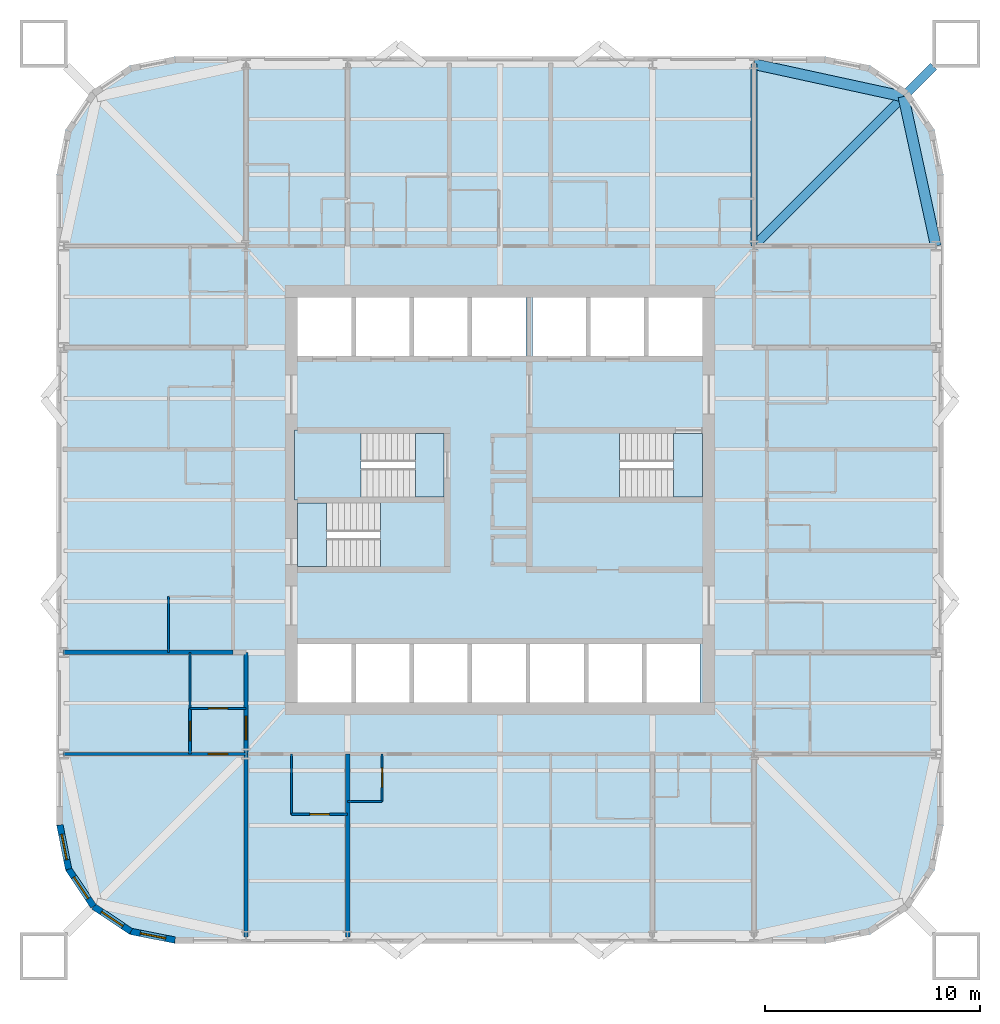
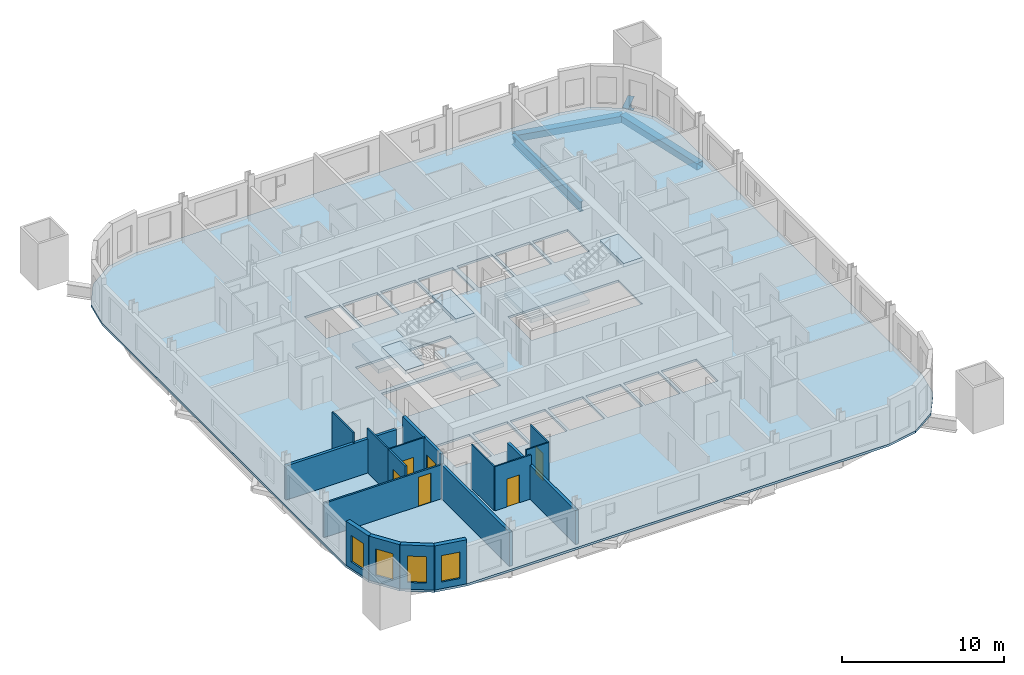
# One storey, part 2 of 9: 17 walls, 7 slabs, 6 doors, 4 beams, 4 windows, 10 openings, 3 elements without a shape of their own.
"""IFC4 building model written with IfcOpenShell, lengths in metres."""

from ifc_helpers import new_model, si_unit, direction, frame, frame_2d, origin, origin_2d, place, context, subcontext, project, spatial, polyline, rectangle, hollow_rectangle, i_section, outline, extrude, material, layer, layer_set, material_profile, profile_set, type_object, element, fill, aggregate, save


model = new_model("IFC4")

# Units and contexts
model_context = context("Model", 3, precision=1e-05, world=origin(), true_north=direction((0.0, 1.0)))
body_context = subcontext(model_context, "Body", "Model", "MODEL_VIEW")
ifc_project = project(units=[si_unit("LENGTHUNIT", "METRE"), si_unit("AREAUNIT", "SQUARE_METRE"), si_unit("VOLUMEUNIT", "CUBIC_METRE"), si_unit("PLANEANGLEUNIT", "RADIAN"), si_unit("MASSUNIT", "GRAM", prefix="KILO")], contexts=[model_context])

# Site, building, storey
site_placement = place(None, origin())
site = spatial("IfcSite", under=ifc_project, at=site_placement, CompositionType="ELEMENT")
building_placement = place(site_placement, origin())
building = spatial("IfcBuilding", under=site, at=building_placement, Name="Turquesa Mirador Hotel Tower", CompositionType="ELEMENT")
storey_placement = place(building_placement, frame((0.0, 0.0, 117.89990234375)))
storey = spatial("IfcBuildingStorey", under=building, at=storey_placement, Name="L31", CompositionType="ELEMENT", Elevation=117.89990234375)

# Beams
ifc_material_1 = material(Name="Steel ASTM A572 Grade 50", Category="steel")
ifc_material_profile_1 = material_profile(ifc_material_1, hollow_rectangle(XDim=0.5, YDim=0.5, WallThickness=0.01611328125, at=origin_2d()), Name="BOX500X500X16")
ifc_profile_set_1 = profile_set([ifc_material_profile_1], Name="Steel ASTM A572 Grade 50")
beam_type_1 = type_object("IfcBeamType", Name="BEAM BOX500X500X16", PredefinedType="BEAM", material=ifc_profile_set_1)
for number, where, z_axis, x_axis, name in (
    (1, (75.25, 56.800048828125, -0.419921875), (-0.212328336885, 0.977198381781, 0.0), (-0.977198381781, -0.212328336885, 0.0), "KE-L31-1-0"),
    (2, (73.74169921875, 63.74169921875, -0.419921875), (-0.977198381781, 0.212328336885, 0.0), (-0.212328336885, -0.977198381781, 0.0), "KE-L31-1-1"),
):
    element("IfcBeam", number, at=place(storey_placement, frame(where, z_axis=z_axis, x_axis=x_axis)), inside=storey, type_object=beam_type_1, Name=name, PredefinedType="BEAM", context=body_context, shape_type="SweptSolid", body=[
        extrude(hollow_rectangle(XDim=0.5, YDim=0.5, WallThickness=0.01611328125, at=origin_2d()), origin(), (0.0, 0.0, 1.0), 7.103515625),
    ])
ifc_material_2 = material(Name="Steel ASTM A992 Grade 50", Category="steel")
ifc_material_profile_2 = material_profile(ifc_material_2, i_section(OverallWidth=0.2666015625, OverallDepth=0.7568359375, WebThickness=0.013916015625, FlangeThickness=0.019287109375, at=origin_2d()), Name="W30X108")
ifc_profile_set_2 = profile_set([ifc_material_profile_2], Name="Steel ASTM A992 Grade 50")
beam_type_2 = type_object("IfcBeamType", Name="BEAM W30X108", PredefinedType="BEAM", material=ifc_profile_set_2)
beam_1_placement = place(storey_placement, frame((66.800048828125, 65.25, -0.54833984375), z_axis=(0.0, -1.0, 0.0), x_axis=(1.0, 0.0, 0.0)))
element("IfcBeam", 3, at=beam_1_placement, inside=storey, type_object=beam_type_2, Name="GK-L31-N-+11.80", PredefinedType="BEAM", context=body_context, shape_type="SweptSolid", body=[
    extrude(i_section(OverallWidth=0.2666015625, OverallDepth=0.7568359375, WebThickness=0.013916015625, FlangeThickness=0.019287109375, at=origin_2d()), origin(), (0.0, 0.0, 1.0), 8.449951171875),
])
ifc_material_3 = material(Name="Steel ASTM A992 Grade 50", Category="steel")
ifc_material_profile_3 = material_profile(ifc_material_3, i_section(OverallWidth=0.419189453125, OverallDepth=0.927001953125, WebThickness=0.019287109375, FlangeThickness=0.031982421875, at=origin_2d()), Name="W36X231")
ifc_profile_set_3 = profile_set([ifc_material_profile_3], Name="Steel ASTM A992 Grade 50")
beam_type_3 = type_object("IfcBeamType", Name="BEAM W36X231", PredefinedType="BEAM", material=ifc_profile_set_3)
beam_2_placement = place(storey_placement, frame((66.800048828125, 56.800048828125, -0.633544921875), z_axis=(0.707106781187, 0.707106781187, 0.0), x_axis=(-0.707106781187, 0.707106781187, 0.0)))
element("IfcBeam", 4, at=beam_2_placement, inside=storey, type_object=beam_type_3, Name="KD-L31-1", PredefinedType="BEAM", context=body_context, shape_type="SweptSolid", body=[
    extrude(i_section(OverallWidth=0.419189453125, OverallDepth=0.927001953125, WebThickness=0.019287109375, FlangeThickness=0.031982421875, at=origin_2d()), origin(), (0.0, 0.0, 1.0), 11.80859375),
])

# Slab
ifc_material_4 = material(Name="Concrete C28/35", Category="concrete")
ifc_layer_1 = layer(ifc_material_4, 0.169921875)
ifc_layer_set_1 = layer_set([ifc_layer_1], Name="COMPOSITE FLOOR SLAB 170")
slab_type_1 = type_object("IfcSlabType", Name="COMPOSITE FLOOR SLAB 170", PredefinedType="FLOOR", material=ifc_layer_set_1)
slab_1_placement = place(storey_placement, frame((0.0, 0.0, -0.169921875)))
element("IfcSlab", 5, at=slab_1_placement, inside=storey, type_object=slab_type_1, Name="Floor slab L31", PredefinedType="FLOOR", context=body_context, shape_type="SweptSolid", body=[
    extrude(outline(polyline([(70.10009765625, 24.39990234375), (72.204833984375, 24.818603515625), (73.989013671875, 26.010986328125), (75.181396484375, 27.795166015625), (75.60009765625, 29.89990234375), (75.60009765625, 60.10009765625), (75.181396484375, 62.204833984375), (73.989013671875, 63.989013671875), (72.204833984375, 65.181396484375), (70.10009765625, 65.60009765625), (39.89990234375, 65.60009765625), (37.795166015625, 65.181396484375), (36.010986328125, 63.989013671875), (34.818603515625, 62.204833984375), (34.39990234375, 60.10009765625), (34.39990234375, 29.89990234375), (34.818603515625, 27.795166015625), (36.010986328125, 26.010986328125), (37.795166015625, 24.818603515625), (39.89990234375, 24.39990234375), (70.10009765625, 24.39990234375)]), holes=[polyline([(45.60009765625, 51.699951171875), (48.10009765625, 51.699951171875), (48.10009765625, 54.39990234375), (45.60009765625, 54.39990234375), (45.60009765625, 51.699951171875)]), polyline([(48.300048828125, 51.699951171875), (50.800048828125, 51.699951171875), (50.800048828125, 54.39990234375), (48.300048828125, 54.39990234375), (48.300048828125, 51.699951171875)]), polyline([(51.0, 51.699951171875), (53.5, 51.699951171875), (53.5, 54.39990234375), (51.0, 54.39990234375), (51.0, 51.699951171875)]), polyline([(53.699951171875, 51.699951171875), (56.199951171875, 51.699951171875), (56.199951171875, 54.39990234375), (53.699951171875, 54.39990234375), (53.699951171875, 51.699951171875)]), polyline([(56.5, 51.699951171875), (59.0, 51.699951171875), (59.0, 54.39990234375), (56.5, 54.39990234375), (56.5, 51.699951171875)]), polyline([(59.199951171875, 51.699951171875), (61.699951171875, 51.699951171875), (61.699951171875, 54.39990234375), (59.199951171875, 54.39990234375), (59.199951171875, 51.699951171875)]), polyline([(45.60009765625, 35.60009765625), (48.10009765625, 35.60009765625), (48.10009765625, 38.300048828125), (45.60009765625, 38.300048828125), (45.60009765625, 35.60009765625)]), polyline([(48.300048828125, 35.60009765625), (50.800048828125, 35.60009765625), (50.800048828125, 38.300048828125), (48.300048828125, 38.300048828125), (48.300048828125, 35.60009765625)]), polyline([(51.0, 35.60009765625), (53.5, 35.60009765625), (53.5, 38.300048828125), (51.0, 38.300048828125), (51.0, 35.60009765625)]), polyline([(53.699951171875, 35.60009765625), (56.199951171875, 35.60009765625), (56.199951171875, 38.300048828125), (53.699951171875, 38.300048828125), (53.699951171875, 35.60009765625)]), polyline([(56.39990234375, 35.60009765625), (58.89990234375, 35.60009765625), (58.89990234375, 38.300048828125), (56.39990234375, 38.300048828125), (56.39990234375, 35.60009765625)]), polyline([(59.10009765625, 35.60009765625), (61.60009765625, 35.60009765625), (61.60009765625, 38.300048828125), (59.10009765625, 38.300048828125), (59.10009765625, 35.60009765625)]), polyline([(61.800048828125, 35.60009765625), (64.300048828125, 35.60009765625), (64.300048828125, 38.300048828125), (61.800048828125, 38.300048828125), (61.800048828125, 35.60009765625)]), polyline([(45.60009765625, 45.14990234375), (52.39990234375, 45.14990234375), (52.39990234375, 48.10009765625), (45.60009765625, 48.10009765625), (45.60009765625, 45.14990234375)]), polyline([(45.60009765625, 41.89990234375), (52.39990234375, 41.89990234375), (52.39990234375, 44.85009765625), (45.60009765625, 44.85009765625), (45.60009765625, 41.89990234375)]), polyline([(56.5, 45.14990234375), (64.39990234375, 45.14990234375), (64.39990234375, 48.10009765625), (56.5, 48.10009765625), (56.5, 45.14990234375)]), polyline([(61.89990234375, 51.699951171875), (64.39990234375, 51.699951171875), (64.39990234375, 54.39990234375), (61.89990234375, 54.39990234375), (61.89990234375, 51.699951171875)])]), origin(), (0.0, 0.0, 1.0), 0.169921875),
])

# Stair, slabs
ifc_material_5 = material(Name="Concrete C35/45", Category="concrete")
stair_type = type_object("IfcStairType", Name="ESCAPE STAIR CORE", PredefinedType="HALF_TURN_STAIR", material=ifc_material_5)
stair_1_placement = place(storey_placement, origin())
stair_1 = element("IfcStair", 6, at=stair_1_placement, inside=storey, type_object=stair_type, Name="Stair ST1 L31 to L32", PredefinedType="HALF_TURN_STAIR")
ifc_material_6 = material(Name="Concrete C35/45", Category="concrete")
ifc_layer_2 = layer(ifc_material_6, 0.300048828125)
ifc_layer_set_2 = layer_set([ifc_layer_2], Name="STAIR LANDING 300")
slab_type_2 = type_object("IfcSlabType", Name="STAIR LANDING 300", PredefinedType="LANDING", material=ifc_layer_set_2)
slab_2_placement = place(storey_placement, frame((0.0, 0.0, 1.4501953125)))
slab_2 = element("IfcSlab", 7, at=slab_2_placement, type_object=slab_type_2, Name="ST1 landing 1", PredefinedType="LANDING", context=body_context, shape_type="SweptSolid", body=[
    extrude(outline(polyline([(45.449951171875, 45.0), (48.550048828125, 45.0), (48.550048828125, 48.25), (45.449951171875, 48.25), (45.449951171875, 45.0)])), origin(), (0.0, 0.0, 1.0), 0.2998046875),
])
slab_3_placement = place(storey_placement, frame((0.0, 0.0, 3.2001953125)))
slab_3 = element("IfcSlab", 8, at=slab_3_placement, type_object=slab_type_2, Name="ST1 landing 2", PredefinedType="LANDING", context=body_context, shape_type="SweptSolid", body=[
    extrude(outline(polyline([(51.070068359375, 45.14990234375), (52.39990234375, 45.14990234375), (52.39990234375, 48.10009765625), (51.070068359375, 48.10009765625), (51.070068359375, 45.14990234375)])), origin(), (0.0, 0.0, 1.0), 0.2998046875),
])
aggregate(stair_1, [slab_2, slab_3])

stair_2_placement = place(storey_placement, origin())
stair_2 = element("IfcStair", 9, at=stair_2_placement, inside=storey, type_object=stair_type, Name="Stair ST2 L31 to L32", PredefinedType="HALF_TURN_STAIR")
slab_4_placement = place(storey_placement, frame((0.0, 0.0, 1.4501953125)))
slab_4 = element("IfcSlab", 10, at=slab_4_placement, type_object=slab_type_2, Name="ST2 landing 1", PredefinedType="LANDING", context=body_context, shape_type="SweptSolid", body=[
    extrude(outline(polyline([(52.550048828125, 45.0), (49.449951171875, 45.0), (49.449951171875, 41.75), (52.550048828125, 41.75), (52.550048828125, 45.0)])), origin(), (0.0, 0.0, 1.0), 0.2998046875),
])
slab_5_placement = place(storey_placement, frame((0.0, 0.0, 3.2001953125)))
slab_5 = element("IfcSlab", 11, at=slab_5_placement, type_object=slab_type_2, Name="ST2 landing 2", PredefinedType="LANDING", context=body_context, shape_type="SweptSolid", body=[
    extrude(outline(polyline([(46.929931640625, 44.85009765625), (45.60009765625, 44.85009765625), (45.60009765625, 41.89990234375), (46.929931640625, 41.89990234375), (46.929931640625, 44.85009765625)])), origin(), (0.0, 0.0, 1.0), 0.2998046875),
])
aggregate(stair_2, [slab_4, slab_5])

stair_3_placement = place(storey_placement, origin())
stair_3 = element("IfcStair", 12, at=stair_3_placement, inside=storey, type_object=stair_type, Name="Stair ST3 L31 to L32", PredefinedType="HALF_TURN_STAIR")
slab_6_placement = place(storey_placement, frame((0.0, 0.0, 1.4501953125)))
slab_6 = element("IfcSlab", 13, at=slab_6_placement, type_object=slab_type_2, Name="ST3 landing 1", PredefinedType="LANDING", context=body_context, shape_type="SweptSolid", body=[
    extrude(outline(polyline([(56.35009765625, 45.0), (60.550048828125, 45.0), (60.550048828125, 48.25), (56.35009765625, 48.25), (56.35009765625, 45.0)])), origin(), (0.0, 0.0, 1.0), 0.2998046875),
])
slab_7_placement = place(storey_placement, frame((0.0, 0.0, 3.2001953125)))
slab_7 = element("IfcSlab", 14, at=slab_7_placement, type_object=slab_type_2, Name="ST3 landing 2", PredefinedType="LANDING", context=body_context, shape_type="SweptSolid", body=[
    extrude(outline(polyline([(63.070068359375, 45.14990234375), (64.39990234375, 45.14990234375), (64.39990234375, 48.10009765625), (63.070068359375, 48.10009765625), (63.070068359375, 45.14990234375)])), origin(), (0.0, 0.0, 1.0), 0.2998046875),
])
aggregate(stair_3, [slab_6, slab_7])

# Wall
ifc_material_7 = material(Name="Gypsum board on steel studs", Category="steel")
ifc_layer_3 = layer(ifc_material_7, 0.10009765625)
ifc_layer_set_3 = layer_set([ifc_layer_3], Name="BATHROOM WALL 100")
wall_type_1 = type_object("IfcWallType", Name="BATHROOM WALL 100", PredefinedType="PARTITIONING", material=ifc_layer_set_3)
wall_1_placement = place(storey_placement, frame((47.919921875, 31.0, 0.0), z_axis=(0.0, 0.0, 1.0), x_axis=(1.0, 0.0, 0.0)))
element("IfcWall", 15, at=wall_1_placement, inside=storey, type_object=wall_type_1, Name="Partition L31 006", PredefinedType="PARTITIONING", context=body_context, shape_type="SweptSolid", body=[
    extrude(rectangle(XDim=1.60009765625, YDim=0.10009765625, at=frame_2d((0.800048828125, 0.0))), origin(), (0.0, 0.0, 1.0), 3.330078125),
])

# Wall, opening, door
wall_2_placement = place(storey_placement, frame((45.320068359375, 30.39990234375, 0.0), z_axis=(0.0, 0.0, 1.0), x_axis=(1.0, 0.0, 0.0)))
wall_2 = element("IfcWall", 16, at=wall_2_placement, inside=storey, type_object=wall_type_1, Name="Partition L31 007", PredefinedType="PARTITIONING", context=body_context, shape_type="SweptSolid", body=[
    extrude(rectangle(XDim=2.599853515625, YDim=0.10009765625, at=frame_2d((1.2998046875, 0.0))), origin(), (0.0, 0.0, 1.0), 3.330078125),
])
opening_1_placement = place(wall_2_placement, frame((0.85009765625, 0.0, 0.0)))
opening_1 = element("IfcOpeningElement", 17, at=opening_1_placement, cuts=wall_2, Name="Opening D02", PredefinedType="OPENING", context=body_context, shape_type="SweptSolid", body=[
    extrude(rectangle(XDim=0.89990234375, YDim=2.10009765625, at=frame_2d((0.449951171875, 1.050048828125))), frame((0.0, 0.06005859375, 0.0), z_axis=(0.0, -1.0, 0.0), x_axis=(1.0, 0.0, 0.0)), (0.0, 0.0, 1.0), 0.1201171875),
])
ifc_material_8 = material(Name="Timber veneered door", Category="wood")
door_type_1 = type_object("IfcDoorType", Name="DOOR 900X2100 EN-SUITE", OperationType="SINGLE_SWING_RIGHT", PredefinedType="DOOR", material=ifc_material_8)
door_1_placement = place(opening_1_placement, origin())
door_1 = element("IfcDoor", 18, at=door_1_placement, inside=storey, type_object=door_type_1, Name="Door 3105B", OperationType="SINGLE_SWING_RIGHT", OverallHeight=2.10009765625, OverallWidth=0.89990234375, PredefinedType="DOOR", context=body_context, shape_type="SweptSolid", body=[
    extrude(rectangle(XDim=0.89990234375, YDim=2.10009765625, at=frame_2d((0.449951171875, 1.050048828125))), frame((0.0, 0.02490234375, 0.0), z_axis=(0.0, -1.0, 0.0), x_axis=(1.0, 0.0, 0.0)), (0.0, 0.0, 1.0), 0.050048828125),
])
fill(opening_1, door_1)

wall_3_placement = place(storey_placement, frame((40.60009765625, 35.320068359375, 0.0), z_axis=(0.0, 0.0, 1.0), x_axis=(1.0, 0.0, 0.0)))
wall_3 = element("IfcWall", 19, at=wall_3_placement, inside=storey, type_object=wall_type_1, Name="Partition L31 017", PredefinedType="PARTITIONING", context=body_context, shape_type="SweptSolid", body=[
    extrude(rectangle(XDim=2.599853515625, YDim=0.10009765625, at=frame_2d((1.2998046875, 0.0))), origin(), (0.0, 0.0, 1.0), 3.330078125),
])
opening_2_placement = place(wall_3_placement, frame((0.85009765625, 0.0, 0.0)))
opening_2 = element("IfcOpeningElement", 20, at=opening_2_placement, cuts=wall_3, Name="Opening D02", PredefinedType="OPENING", context=body_context, shape_type="SweptSolid", body=[
    extrude(rectangle(XDim=0.89990234375, YDim=2.10009765625, at=frame_2d((0.449951171875, 1.050048828125))), frame((0.0, 0.06005859375, 0.0), z_axis=(0.0, -1.0, 0.0), x_axis=(1.0, 0.0, 0.0)), (0.0, 0.0, 1.0), 0.1201171875),
])
door_2_placement = place(opening_2_placement, origin())
door_2 = element("IfcDoor", 21, at=door_2_placement, inside=storey, type_object=door_type_1, Name="Door 3115B", OperationType="SINGLE_SWING_RIGHT", OverallHeight=2.10009765625, OverallWidth=0.89990234375, PredefinedType="DOOR", context=body_context, shape_type="SweptSolid", body=[
    extrude(rectangle(XDim=0.89990234375, YDim=2.10009765625, at=frame_2d((0.449951171875, 1.050048828125))), frame((0.0, 0.02490234375, 0.0), z_axis=(0.0, -1.0, 0.0), x_axis=(1.0, 0.0, 0.0)), (0.0, 0.0, 1.0), 0.050048828125),
])
fill(opening_2, door_2)

# Walls
wall_4_placement = place(storey_placement, frame((40.60009765625, 35.320068359375, 0.0), z_axis=(0.0, 0.0, 1.0), x_axis=(0.0, 1.0, 0.0)))
element("IfcWall", 22, at=wall_4_placement, inside=storey, type_object=wall_type_1, Name="Partition L31 047", PredefinedType="PARTITIONING", context=body_context, shape_type="SweptSolid", body=[
    extrude(rectangle(XDim=2.599853515625, YDim=0.10009765625, at=frame_2d((1.2998046875, 0.0))), origin(), (0.0, 0.0, 1.0), 3.330078125),
])
wall_5_placement = place(storey_placement, frame((39.60009765625, 37.919921875, 0.0), z_axis=(0.0, 0.0, 1.0), x_axis=(0.0, 1.0, 0.0)))
element("IfcWall", 23, at=wall_5_placement, inside=storey, type_object=wall_type_1, Name="Partition L31 052", PredefinedType="PARTITIONING", context=body_context, shape_type="SweptSolid", body=[
    extrude(rectangle(XDim=2.60009765625, YDim=0.10009765625, at=frame_2d((1.300048828125, 0.0))), origin(), (0.0, 0.0, 1.0), 3.330078125),
])

# Wall, opening, door
wall_6_placement = place(storey_placement, frame((49.52001953125, 31.0, 0.0), z_axis=(0.0, 0.0, 1.0), x_axis=(0.0, 1.0, 0.0)))
wall_6 = element("IfcWall", 24, at=wall_6_placement, inside=storey, type_object=wall_type_1, Name="Partition L31 056", PredefinedType="PARTITIONING", context=body_context, shape_type="SweptSolid", body=[
    extrude(rectangle(XDim=2.199951171875, YDim=0.10009765625, at=frame_2d((1.10009765625, 0.0))), origin(), (0.0, 0.0, 1.0), 3.330078125),
])
opening_3_placement = place(wall_6_placement, frame((0.64990234375, 0.0, 0.0)))
opening_3 = element("IfcOpeningElement", 25, at=opening_3_placement, cuts=wall_6, Name="Opening D06", PredefinedType="OPENING", context=body_context, shape_type="SweptSolid", body=[
    extrude(rectangle(XDim=0.89990234375, YDim=2.10009765625, at=frame_2d((0.449951171875, 1.050048828125))), frame((0.0, 0.06005859375, 0.0), z_axis=(0.0, -1.0, 0.0), x_axis=(1.0, 0.0, 0.0)), (0.0, 0.0, 1.0), 0.1201171875),
])
ifc_material_9 = material(Name="Laminate door", Category="wood")
door_type_2 = type_object("IfcDoorType", Name="DOOR 900X2100 WC", OperationType="SINGLE_SWING_LEFT", PredefinedType="DOOR", material=ifc_material_9)
door_3_placement = place(opening_3_placement, origin())
door_3 = element("IfcDoor", 26, at=door_3_placement, inside=storey, type_object=door_type_2, Name="Door 3106W", OperationType="SINGLE_SWING_LEFT", OverallHeight=2.10009765625, OverallWidth=0.89990234375, PredefinedType="DOOR", context=body_context, shape_type="SweptSolid", body=[
    extrude(rectangle(XDim=0.89990234375, YDim=2.10009765625, at=frame_2d((0.449951171875, 1.050048828125))), frame((0.0, 0.02490234375, 0.0), z_axis=(0.0, -1.0, 0.0), x_axis=(1.0, 0.0, 0.0)), (0.0, 0.0, 1.0), 0.050048828125),
])
fill(opening_3, door_3)

# Wall
wall_7_placement = place(storey_placement, frame((45.320068359375, 30.39990234375, 0.0), z_axis=(0.0, 0.0, 1.0), x_axis=(0.0, 1.0, 0.0)))
element("IfcWall", 27, at=wall_7_placement, inside=storey, type_object=wall_type_1, Name="Partition L31 062", PredefinedType="PARTITIONING", context=body_context, shape_type="SweptSolid", body=[
    extrude(rectangle(XDim=2.800048828125, YDim=0.10009765625, at=frame_2d((1.39990234375, 0.0))), origin(), (0.0, 0.0, 1.0), 3.330078125),
])

# Wall, opening, door
ifc_material_10 = material(Name="Fire-rated gypsum board on steel studs", Category="steel")
ifc_layer_4 = layer(ifc_material_10, 0.199951171875)
ifc_layer_set_4 = layer_set([ifc_layer_4], Name="CORRIDOR WALL 200")
wall_type_2 = type_object("IfcWallType", Name="CORRIDOR WALL 200", PredefinedType="PARTITIONING", material=ifc_layer_set_4)
wall_8_placement = place(storey_placement, frame((43.199951171875, 33.199951171875, 0.0), z_axis=(0.0, 0.0, 1.0), x_axis=(0.0, 1.0, 0.0)))
wall_8 = element("IfcWall", 28, at=wall_8_placement, inside=storey, type_object=wall_type_2, Name="Partition L31 042", PredefinedType="PARTITIONING", context=body_context, shape_type="SweptSolid", body=[
    extrude(rectangle(XDim=4.719970703125, YDim=0.199951171875, at=frame_2d((2.35986328125, 0.0))), origin(), (0.0, 0.0, 1.0), 3.330078125),
])
opening_4_placement = place(wall_8_placement, frame((0.659912109375, 0.0, 0.0)))
opening_4 = element("IfcOpeningElement", 29, at=opening_4_placement, cuts=wall_8, Name="Opening D15", PredefinedType="OPENING", context=body_context, shape_type="SweptSolid", body=[
    extrude(rectangle(XDim=1.10009765625, YDim=2.199951171875, at=frame_2d((0.550048828125, 1.10009765625))), frame((0.0, 0.10986328125, 0.0), z_axis=(0.0, -1.0, 0.0), x_axis=(1.0, 0.0, 0.0)), (0.0, 0.0, 1.0), 0.219970703125),
])
ifc_material_11 = material(Name="Timber veneered fire door", Category="wood")
door_type_3 = type_object("IfcDoorType", Name="DOOR 1100X2200 SUITE ENTRY", OperationType="SINGLE_SWING_LEFT", PredefinedType="DOOR", material=ifc_material_11)
door_4_placement = place(opening_4_placement, origin())
door_4 = element("IfcDoor", 30, at=door_4_placement, inside=storey, type_object=door_type_3, Name="Door 3115H", OperationType="SINGLE_SWING_LEFT", OverallHeight=2.199951171875, OverallWidth=1.10009765625, PredefinedType="DOOR", context=body_context, shape_type="SweptSolid", body=[
    extrude(rectangle(XDim=1.10009765625, YDim=2.199951171875, at=frame_2d((0.550048828125, 1.10009765625))), frame((0.0, 0.02490234375, 0.0), z_axis=(0.0, -1.0, 0.0), x_axis=(1.0, 0.0, 0.0)), (0.0, 0.0, 1.0), 0.050048828125),
])
fill(opening_4, door_4)

# Wall, opening, window
ifc_material_12 = material(Name="Limestone cladding on concrete block", Category="masonry")
ifc_layer_5 = layer(ifc_material_12, 0.300048828125)
ifc_layer_set_5 = layer_set([ifc_layer_5], Name="FACADE WALL 300 STONE SCREEN")
wall_type_3 = type_object("IfcWallType", Name="FACADE WALL 300 STONE SCREEN", PredefinedType="SOLIDWALL", material=ifc_layer_set_5)
wall_9_placement = place(storey_placement, frame((34.550048828125, 29.89990234375, 0.0), z_axis=(0.0, 0.0, 1.0), x_axis=(0.195081421501, -0.980787050784, 0.0)))
wall_9 = element("IfcWall", 31, at=wall_9_placement, inside=storey, type_object=wall_type_3, Name="Facade wall L31 15", PredefinedType="SOLIDWALL", context=body_context, shape_type="SweptSolid", body=[
    extrude(rectangle(XDim=2.08740234375, YDim=0.300048828125, at=frame_2d((1.043701171875, 0.0))), origin(), (0.0, 0.0, 1.0), 3.330078125),
])
opening_5_placement = place(wall_9_placement, frame((0.443603515625, 0.0, 0.5)))
opening_5 = element("IfcOpeningElement", 32, at=opening_5_placement, cuts=wall_9, Name="Opening WN4", PredefinedType="OPENING", context=body_context, shape_type="SweptSolid", body=[
    extrude(rectangle(XDim=1.199951171875, YDim=2.0, at=frame_2d((0.60009765625, 1.0))), frame((0.0, 0.159912109375, 0.0), z_axis=(0.0, -1.0, 0.0), x_axis=(1.0, 0.0, 0.0)), (0.0, 0.0, 1.0), 0.320068359375),
])
ifc_material_13 = material(Name="Ceramic-fritted laminated glass", Category="glass")
window_type = type_object("IfcWindowType", Name="FRITTED CORNER WINDOW 1200X2000", PartitioningType="DOUBLE_PANEL_HORIZONTAL", PredefinedType="WINDOW", material=ifc_material_13)
window_1_placement = place(opening_5_placement, origin())
window_1 = element("IfcWindow", 33, at=window_1_placement, inside=storey, type_object=window_type, Name="Window L31", OverallHeight=2.0, OverallWidth=1.199951171875, PartitioningType="SINGLE_PANEL", PredefinedType="WINDOW", context=body_context, shape_type="SweptSolid", body=[
    extrude(rectangle(XDim=1.199951171875, YDim=2.0, at=frame_2d((0.60009765625, 1.0))), frame((0.0, 0.030029296875, 0.0), z_axis=(0.0, -1.0, 0.0), x_axis=(1.0, 0.0, 0.0)), (0.0, 0.0, 1.0), 0.06005859375),
])
fill(opening_5, window_1)

wall_10_placement = place(storey_placement, frame((34.957275390625, 27.8525390625, 0.0), z_axis=(0.0, 0.0, 1.0), x_axis=(0.555563607591, -0.831474039234, 0.0)))
wall_10 = element("IfcWall", 34, at=wall_10_placement, inside=storey, type_object=wall_type_3, Name="Facade wall L31 16", PredefinedType="SOLIDWALL", context=body_context, shape_type="SweptSolid", body=[
    extrude(rectangle(XDim=2.08740234375, YDim=0.300048828125, at=frame_2d((1.043701171875, 0.0))), origin(), (0.0, 0.0, 1.0), 3.330078125),
])
opening_6_placement = place(wall_10_placement, frame((0.443603515625, 0.0, 0.5)))
opening_6 = element("IfcOpeningElement", 35, at=opening_6_placement, cuts=wall_10, Name="Opening WN4", PredefinedType="OPENING", context=body_context, shape_type="SweptSolid", body=[
    extrude(rectangle(XDim=1.199951171875, YDim=2.0, at=frame_2d((0.60009765625, 1.0))), frame((0.0, 0.159912109375, 0.0), z_axis=(0.0, -1.0, 0.0), x_axis=(1.0, 0.0, 0.0)), (0.0, 0.0, 1.0), 0.320068359375),
])
window_2_placement = place(opening_6_placement, origin())
window_2 = element("IfcWindow", 36, at=window_2_placement, inside=storey, type_object=window_type, Name="Window L31", OverallHeight=2.0, OverallWidth=1.199951171875, PartitioningType="SINGLE_PANEL", PredefinedType="WINDOW", context=body_context, shape_type="SweptSolid", body=[
    extrude(rectangle(XDim=1.199951171875, YDim=2.0, at=frame_2d((0.60009765625, 1.0))), frame((0.0, 0.030029296875, 0.0), z_axis=(0.0, -1.0, 0.0), x_axis=(1.0, 0.0, 0.0)), (0.0, 0.0, 1.0), 0.06005859375),
])
fill(opening_6, window_2)

wall_11_placement = place(storey_placement, frame((36.116943359375, 26.116943359375, 0.0), z_axis=(0.0, 0.0, 1.0), x_axis=(0.831474039234, -0.555563607591, 0.0)))
wall_11 = element("IfcWall", 37, at=wall_11_placement, inside=storey, type_object=wall_type_3, Name="Facade wall L31 17", PredefinedType="SOLIDWALL", context=body_context, shape_type="SweptSolid", body=[
    extrude(rectangle(XDim=2.08740234375, YDim=0.300048828125, at=frame_2d((1.043701171875, 0.0))), origin(), (0.0, 0.0, 1.0), 3.330078125),
])
opening_7_placement = place(wall_11_placement, frame((0.443603515625, 0.0, 0.5)))
opening_7 = element("IfcOpeningElement", 38, at=opening_7_placement, cuts=wall_11, Name="Opening WN4", PredefinedType="OPENING", context=body_context, shape_type="SweptSolid", body=[
    extrude(rectangle(XDim=1.199951171875, YDim=2.0, at=frame_2d((0.60009765625, 1.0))), frame((0.0, 0.159912109375, 0.0), z_axis=(0.0, -1.0, 0.0), x_axis=(1.0, 0.0, 0.0)), (0.0, 0.0, 1.0), 0.320068359375),
])
window_3_placement = place(opening_7_placement, origin())
window_3 = element("IfcWindow", 39, at=window_3_placement, inside=storey, type_object=window_type, Name="Window L31", OverallHeight=2.0, OverallWidth=1.199951171875, PartitioningType="SINGLE_PANEL", PredefinedType="WINDOW", context=body_context, shape_type="SweptSolid", body=[
    extrude(rectangle(XDim=1.199951171875, YDim=2.0, at=frame_2d((0.60009765625, 1.0))), frame((0.0, 0.030029296875, 0.0), z_axis=(0.0, -1.0, 0.0), x_axis=(1.0, 0.0, 0.0)), (0.0, 0.0, 1.0), 0.06005859375),
])
fill(opening_7, window_3)

wall_12_placement = place(storey_placement, frame((37.8525390625, 24.957275390625, 0.0), z_axis=(0.0, 0.0, 1.0), x_axis=(0.980787050784, -0.195081421501, 0.0)))
wall_12 = element("IfcWall", 40, at=wall_12_placement, inside=storey, type_object=wall_type_3, Name="Facade wall L31 18", PredefinedType="SOLIDWALL", context=body_context, shape_type="SweptSolid", body=[
    extrude(rectangle(XDim=2.08740234375, YDim=0.300048828125, at=frame_2d((1.043701171875, 0.0))), origin(), (0.0, 0.0, 1.0), 3.330078125),
])
opening_8_placement = place(wall_12_placement, frame((0.443603515625, 0.0, 0.5)))
opening_8 = element("IfcOpeningElement", 41, at=opening_8_placement, cuts=wall_12, Name="Opening WN4", PredefinedType="OPENING", context=body_context, shape_type="SweptSolid", body=[
    extrude(rectangle(XDim=1.199951171875, YDim=2.0, at=frame_2d((0.60009765625, 1.0))), frame((0.0, 0.159912109375, 0.0), z_axis=(0.0, -1.0, 0.0), x_axis=(1.0, 0.0, 0.0)), (0.0, 0.0, 1.0), 0.320068359375),
])
window_4_placement = place(opening_8_placement, origin())
window_4 = element("IfcWindow", 42, at=window_4_placement, inside=storey, type_object=window_type, Name="Window L31", OverallHeight=2.0, OverallWidth=1.199951171875, PartitioningType="SINGLE_PANEL", PredefinedType="WINDOW", context=body_context, shape_type="SweptSolid", body=[
    extrude(rectangle(XDim=1.199951171875, YDim=2.0, at=frame_2d((0.60009765625, 1.0))), frame((0.0, 0.030029296875, 0.0), z_axis=(0.0, -1.0, 0.0), x_axis=(1.0, 0.0, 0.0)), (0.0, 0.0, 1.0), 0.06005859375),
])
fill(opening_8, window_4)

# Walls
ifc_material_14 = material(Name="Fire-rated gypsum board on steel studs", Category="steel")
ifc_layer_6 = layer(ifc_material_14, 0.199951171875)
ifc_layer_set_6 = layer_set([ifc_layer_6], Name="PARTY WALL 200")
wall_type_4 = type_object("IfcWallType", Name="PARTY WALL 200", PredefinedType="PARTITIONING", material=ifc_layer_set_6)
wall_13_placement = place(storey_placement, frame((34.699951171875, 37.919921875, 0.0), z_axis=(0.0, 0.0, 1.0), x_axis=(1.0, 0.0, 0.0)))
element("IfcWall", 43, at=wall_13_placement, inside=storey, type_object=wall_type_4, Name="Partition L31 015", PredefinedType="PARTITIONING", context=body_context, shape_type="SweptSolid", body=[
    extrude(rectangle(XDim=7.900146484375, YDim=0.199951171875, at=frame_2d((3.9501953125, 0.0))), origin(), (0.0, 0.0, 1.0), 2.5732421875),
])
for number, where, z_axis, x_axis, name in (
    (44, (43.199951171875, 24.699951171875, 0.0), (0.0, 0.0, 1.0), (0.0, 1.0, 0.0), "Partition L31 044"),
    (45, (47.919921875, 24.699951171875, 0.0), (0.0, 0.0, 1.0), (0.0, 1.0, 0.0), "Partition L31 058"),
):
    element("IfcWall", number, at=place(storey_placement, frame(where, z_axis=z_axis, x_axis=x_axis)), inside=storey, type_object=wall_type_4, Name=name, PredefinedType="PARTITIONING", context=body_context, shape_type="SweptSolid", body=[
        extrude(rectangle(XDim=8.5, YDim=0.199951171875, at=frame_2d((4.25, 0.0))), origin(), (0.0, 0.0, 1.0), 2.5732421875),
    ])

# Wall, opening, door
ifc_material_15 = material(Name="Acoustic gypsum board on steel studs", Category="steel")
ifc_layer_7 = layer(ifc_material_15, 0.125)
ifc_layer_set_7 = layer_set([ifc_layer_7], Name="SUITE PARTITION 125")
wall_type_5 = type_object("IfcWallType", Name="SUITE PARTITION 125", PredefinedType="PARTITIONING", material=ifc_layer_set_7)
wall_14_placement = place(storey_placement, frame((34.699951171875, 33.199951171875, 0.0), z_axis=(0.0, 0.0, 1.0), x_axis=(1.0, 0.0, 0.0)))
wall_14 = element("IfcWall", 46, at=wall_14_placement, inside=storey, type_object=wall_type_5, Name="Partition L31 003", PredefinedType="PARTITIONING", context=body_context, shape_type="SweptSolid", body=[
    extrude(rectangle(XDim=8.5, YDim=0.125, at=frame_2d((4.25, 0.0))), origin(), (0.0, 0.0, 1.0), 2.5732421875),
])
opening_9_placement = place(wall_14_placement, frame((6.75, 0.0, 0.0)))
opening_9 = element("IfcOpeningElement", 47, at=opening_9_placement, cuts=wall_14, Name="Opening D17", PredefinedType="OPENING", context=body_context, shape_type="SweptSolid", body=[
    extrude(rectangle(XDim=0.89990234375, YDim=2.199951171875, at=frame_2d((0.449951171875, 1.10009765625))), frame((0.0, 0.072509765625, 0.0), z_axis=(0.0, -1.0, 0.0), x_axis=(1.0, 0.0, 0.0)), (0.0, 0.0, 1.0), 0.14501953125),
])
ifc_material_16 = material(Name="Timber veneered door", Category="wood")
door_type_4 = type_object("IfcDoorType", Name="DOOR 900X2200 SUITE INTERNAL", OperationType="SINGLE_SWING_LEFT", PredefinedType="DOOR", material=ifc_material_16)
door_5_placement = place(opening_9_placement, origin())
door_5 = element("IfcDoor", 48, at=door_5_placement, inside=storey, type_object=door_type_4, Name="Door 3115", OperationType="SINGLE_SWING_LEFT", OverallHeight=2.199951171875, OverallWidth=0.89990234375, PredefinedType="DOOR", context=body_context, shape_type="SweptSolid", body=[
    extrude(rectangle(XDim=0.89990234375, YDim=2.199951171875, at=frame_2d((0.449951171875, 1.10009765625))), frame((0.0, 0.02490234375, 0.0), z_axis=(0.0, -1.0, 0.0), x_axis=(1.0, 0.0, 0.0)), (0.0, 0.0, 1.0), 0.050048828125),
])
fill(opening_9, door_5)

wall_15_placement = place(storey_placement, frame((40.60009765625, 33.199951171875, 0.0), z_axis=(0.0, 0.0, 1.0), x_axis=(0.0, 1.0, 0.0)))
wall_15 = element("IfcWall", 49, at=wall_15_placement, inside=storey, type_object=wall_type_5, Name="Partition L31 049", PredefinedType="PARTITIONING", context=body_context, shape_type="SweptSolid", body=[
    extrude(rectangle(XDim=2.1201171875, YDim=0.125, at=frame_2d((1.06005859375, 0.0))), origin(), (0.0, 0.0, 1.0), 3.330078125),
])
opening_10_placement = place(wall_15_placement, frame((0.610107421875, 0.0, 0.0)))
opening_10 = element("IfcOpeningElement", 50, at=opening_10_placement, cuts=wall_15, Name="Opening D17", PredefinedType="OPENING", context=body_context, shape_type="SweptSolid", body=[
    extrude(rectangle(XDim=0.89990234375, YDim=2.199951171875, at=frame_2d((0.449951171875, 1.10009765625))), frame((0.0, 0.072509765625, 0.0), z_axis=(0.0, -1.0, 0.0), x_axis=(1.0, 0.0, 0.0)), (0.0, 0.0, 1.0), 0.14501953125),
])
door_6_placement = place(opening_10_placement, origin())
door_6 = element("IfcDoor", 51, at=door_6_placement, inside=storey, type_object=door_type_4, Name="Door 3115R", OperationType="SINGLE_SWING_LEFT", OverallHeight=2.199951171875, OverallWidth=0.89990234375, PredefinedType="DOOR", context=body_context, shape_type="SweptSolid", body=[
    extrude(rectangle(XDim=0.89990234375, YDim=2.199951171875, at=frame_2d((0.449951171875, 1.10009765625))), frame((0.0, 0.02490234375, 0.0), z_axis=(0.0, -1.0, 0.0), x_axis=(1.0, 0.0, 0.0)), (0.0, 0.0, 1.0), 0.050048828125),
])
fill(opening_10, door_6)

save(model, "model.ifc")
